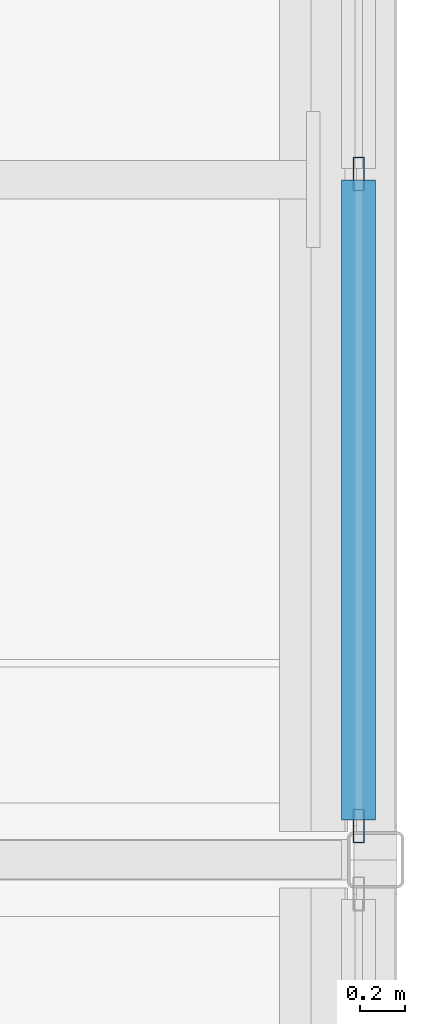
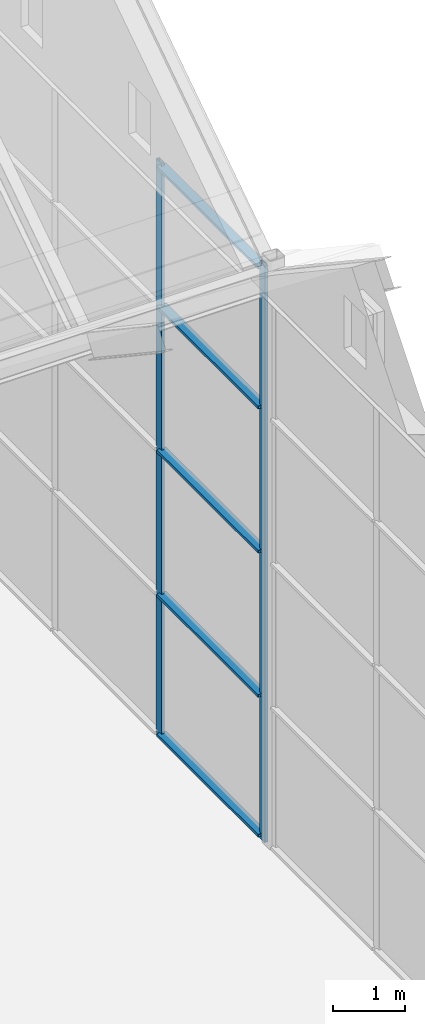
# One storey, part 75 of 111: 7 members, 1 element without a shape of its own.
"""IFC4 building model written with IfcOpenShell, lengths in metres."""

from ifc_helpers import new_model, si_unit, direction, frame, origin, origin_2d, place, context, subcontext, project, spatial, hollow_rectangle, extrude, material, layer, layer_set, material_profile, profile_set, type_object, element, aggregate, save


model = new_model("IFC4")

# Units and contexts
model_context = context("Model", 3, precision=1e-05, world=origin(), true_north=direction((0.0, 1.0)))
body_context = subcontext(model_context, "Body", "Model", "MODEL_VIEW")
ifc_project = project(units=[si_unit("LENGTHUNIT", "METRE"), si_unit("AREAUNIT", "SQUARE_METRE"), si_unit("VOLUMEUNIT", "CUBIC_METRE"), si_unit("PLANEANGLEUNIT", "RADIAN"), si_unit("MASSUNIT", "GRAM", prefix="KILO")], contexts=[model_context])

# Site, building, storey
site_placement = place(None, origin())
site = spatial("IfcSite", under=ifc_project, at=site_placement, CompositionType="ELEMENT")
building_placement = place(site_placement, origin())
building = spatial("IfcBuilding", under=site, at=building_placement, Name="Shorebreak Coast Museum", CompositionType="ELEMENT")
storey_placement = place(building_placement, frame((0.0, 0.0, 16.0)))
storey = spatial("IfcBuildingStorey", under=building, at=storey_placement, Name="L03", CompositionType="ELEMENT", Elevation=16.0)

# Curtain wall, members
ifc_material_1 = material(Name="Aluminium", Category="aluminium")
ifc_layer = layer(ifc_material_1, 0.14990234375)
ifc_layer_set = layer_set([ifc_layer], Name="Aluminium")
curtain_wall_type = type_object("IfcCurtainWallType", Name="Storefront curtain wall", PredefinedType="NOTDEFINED", material=ifc_layer_set)
curtain_wall_placement = place(storey_placement, origin())
curtain_wall = element("IfcCurtainWall", 1, at=curtain_wall_placement, inside=storey, type_object=curtain_wall_type, Name="Gallery end glazing L03 E 2", PredefinedType="NOTDEFINED")
ifc_material_2 = material(Name="Aluminium", Category="aluminium")
ifc_material_profile_1 = material_profile(ifc_material_2, hollow_rectangle(XDim=0.050048828125, YDim=0.14990234375, WallThickness=0.00390625, at=origin_2d()), Name="AL 150x50 RHS")
ifc_profile_set_1 = profile_set([ifc_material_profile_1], Name="Aluminium")
member_type_1 = type_object("IfcMemberType", Name="Storefront mullion 50 x 150", PredefinedType="MULLION", material=ifc_profile_set_1)
member_1_placement = place(storey_placement, frame((170.925048828125, 72.14990234375, 0.0), z_axis=(0.0, 0.0, 1.0), x_axis=(-1.0, 0.0, 0.0)))
member_1 = element("IfcMember", 2, at=member_1_placement, type_object=member_type_1, Name="CW9 mullion 1", PredefinedType="MULLION", context=body_context, shape_type="SweptSolid", body=[
    extrude(hollow_rectangle(XDim=0.050048828125, YDim=0.14990234375, WallThickness=0.00390625, at=origin_2d()), origin(), (0.0, 0.0, 1.0), 9.800048828125),
])
member_2_placement = place(storey_placement, frame((170.925048828125, 75.0244140625, 0.0), z_axis=(0.0, 0.0, 1.0), x_axis=(-1.0, 0.0, 0.0)))
member_2 = element("IfcMember", 3, at=member_2_placement, type_object=member_type_1, Name="CW9 mullion 2", PredefinedType="MULLION", context=body_context, shape_type="SweptSolid", body=[
    extrude(hollow_rectangle(XDim=0.050048828125, YDim=0.14990234375, WallThickness=0.00390625, at=origin_2d()), origin(), (0.0, 0.0, 1.0), 9.800048828125),
])
ifc_material_3 = material(Name="Aluminium", Category="aluminium")
ifc_material_profile_2 = material_profile(ifc_material_3, hollow_rectangle(XDim=0.14990234375, YDim=0.050048828125, WallThickness=0.00390625, at=origin_2d()), Name="AL 50x150 RHS")
ifc_profile_set_2 = profile_set([ifc_material_profile_2], Name="Aluminium")
member_type_2 = type_object("IfcMemberType", Name="Storefront transom 150 x 50", PredefinedType="USERDEFINED", material=ifc_profile_set_2)
member_3_placement = place(storey_placement, frame((170.925048828125, 72.175048828125, 0.074951171875), z_axis=(0.0, 1.0, 0.0), x_axis=(-1.0, 0.0, 0.0)))
member_3 = element("IfcMember", 4, at=member_3_placement, type_object=member_type_2, Name="CW9 transom 1.1", ObjectType="TRANSOM", PredefinedType="USERDEFINED", context=body_context, shape_type="SweptSolid", body=[
    extrude(hollow_rectangle(XDim=0.14990234375, YDim=0.050048828125, WallThickness=0.00390625, at=origin_2d()), origin(), (0.0, 0.0, 1.0), 2.82421875),
])
member_4_placement = place(storey_placement, frame((170.925048828125, 72.175048828125, 2.449951171875), z_axis=(0.0, 1.0, 0.0), x_axis=(-1.0, 0.0, 0.0)))
member_4 = element("IfcMember", 5, at=member_4_placement, type_object=member_type_2, Name="CW9 transom 1.2", ObjectType="TRANSOM", PredefinedType="USERDEFINED", context=body_context, shape_type="SweptSolid", body=[
    extrude(hollow_rectangle(XDim=0.14990234375, YDim=0.050048828125, WallThickness=0.00390625, at=origin_2d()), origin(), (0.0, 0.0, 1.0), 2.82421875),
])
member_5_placement = place(storey_placement, frame((170.925048828125, 72.175048828125, 4.89990234375), z_axis=(0.0, 1.0, 0.0), x_axis=(-1.0, 0.0, 0.0)))
member_5 = element("IfcMember", 6, at=member_5_placement, type_object=member_type_2, Name="CW9 transom 1.3", ObjectType="TRANSOM", PredefinedType="USERDEFINED", context=body_context, shape_type="SweptSolid", body=[
    extrude(hollow_rectangle(XDim=0.14990234375, YDim=0.050048828125, WallThickness=0.00390625, at=origin_2d()), origin(), (0.0, 0.0, 1.0), 2.82421875),
])
member_6_placement = place(storey_placement, frame((170.925048828125, 72.175048828125, 7.35009765625), z_axis=(0.0, 1.0, 0.0), x_axis=(-1.0, 0.0, 0.0)))
member_6 = element("IfcMember", 7, at=member_6_placement, type_object=member_type_2, Name="CW9 transom 1.4", ObjectType="TRANSOM", PredefinedType="USERDEFINED", context=body_context, shape_type="SweptSolid", body=[
    extrude(hollow_rectangle(XDim=0.14990234375, YDim=0.050048828125, WallThickness=0.00390625, at=origin_2d()), origin(), (0.0, 0.0, 1.0), 2.82421875),
])
member_7_placement = place(storey_placement, frame((170.925048828125, 72.175048828125, 9.72509765625), z_axis=(0.0, 1.0, 0.0), x_axis=(-1.0, 0.0, 0.0)))
member_7 = element("IfcMember", 8, at=member_7_placement, type_object=member_type_2, Name="CW9 transom 1.5", ObjectType="TRANSOM", PredefinedType="USERDEFINED", context=body_context, shape_type="SweptSolid", body=[
    extrude(hollow_rectangle(XDim=0.14990234375, YDim=0.050048828125, WallThickness=0.00390625, at=origin_2d()), origin(), (0.0, 0.0, 1.0), 2.82421875),
])
aggregate(curtain_wall, [member_1, member_2, member_3, member_4, member_5, member_6, member_7])

save(model, "model.ifc")
